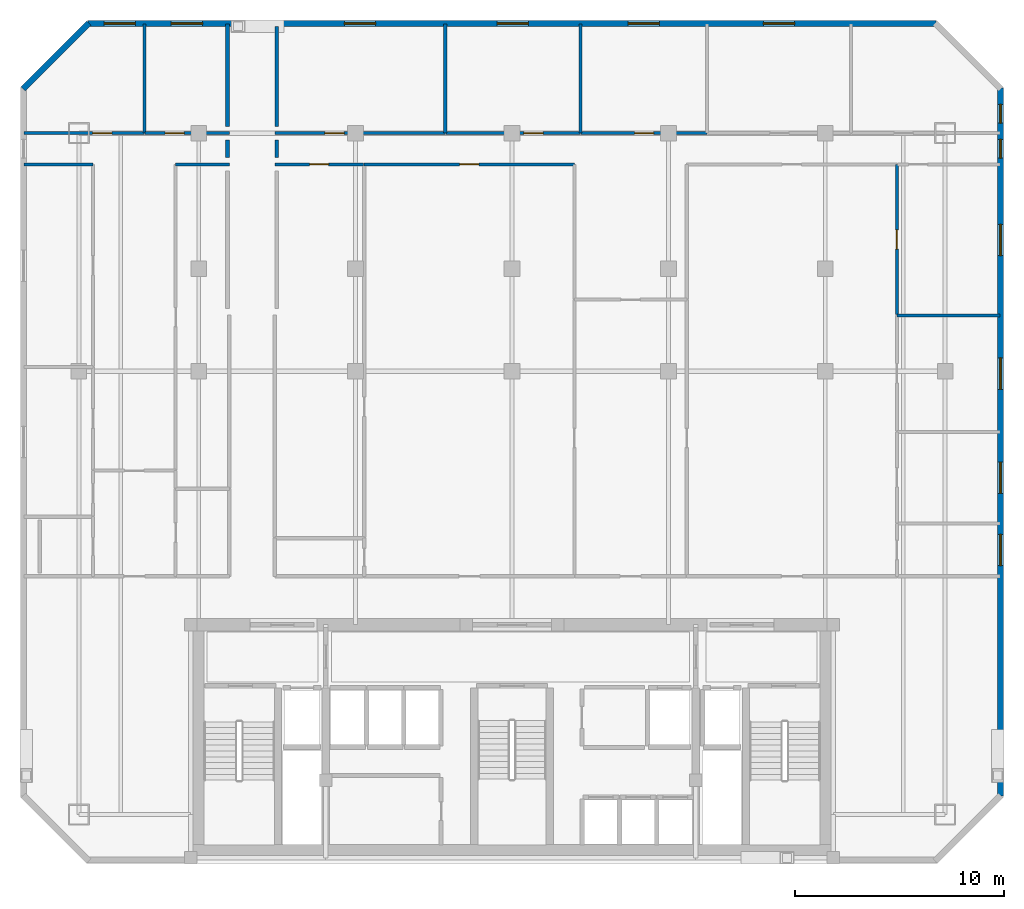
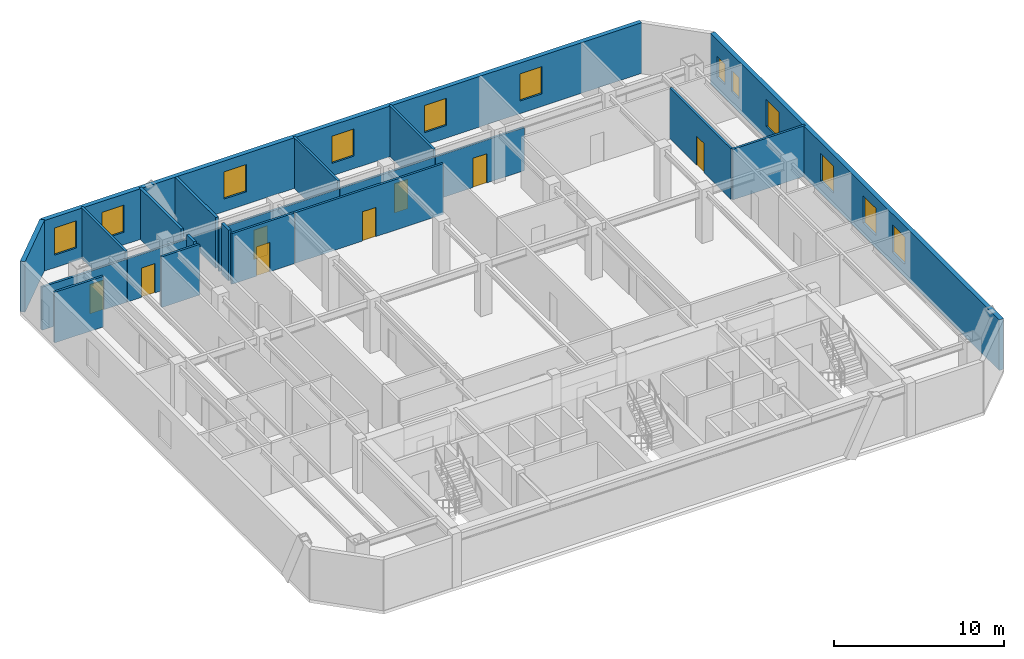
# One storey, part 5 of 7: 21 walls, 12 windows, 8 doors, 20 openings.
"""IFC4 building model written with IfcOpenShell, lengths in metres."""

from ifc_helpers import new_model, si_unit, direction, frame, frame_2d, origin, place, context, subcontext, project, spatial, rectangle, extrude, material, layer, layer_set, type_object, element, fill, save


model = new_model("IFC4")

# Units and contexts
model_context = context("Model", 3, precision=1e-05, world=origin(), true_north=direction((0.0, 1.0)))
body_context = subcontext(model_context, "Body", "Model", "MODEL_VIEW")
ifc_project = project(units=[si_unit("LENGTHUNIT", "METRE"), si_unit("AREAUNIT", "SQUARE_METRE"), si_unit("VOLUMEUNIT", "CUBIC_METRE"), si_unit("PLANEANGLEUNIT", "RADIAN"), si_unit("MASSUNIT", "GRAM", prefix="KILO")], contexts=[model_context])

# Site, building, storey
site_placement = place(None, origin())
site = spatial("IfcSite", under=ifc_project, at=site_placement, CompositionType="ELEMENT")
building_placement = place(site_placement, origin())
building = spatial("IfcBuilding", under=site, at=building_placement, Name="Ventersveld Concourse Tower", CompositionType="ELEMENT")
storey_placement = place(building_placement, frame((0.0, 0.0, 211.85009765625)))
storey = spatial("IfcBuildingStorey", under=building, at=storey_placement, Name="L52", CompositionType="ELEMENT", Elevation=211.85009765625)

# Walls
ifc_material_1 = material(Name="Fire-rated autoclaved aerated masonry blockwork", Category="masonry")
ifc_layer_1 = layer(ifc_material_1, 0.179931640625)
ifc_layer_set_1 = layer_set([ifc_layer_1], Name="Fire-rated autoclaved aerated masonry blockwork")
wall_type_1 = type_object("IfcWallType", Name="WL-CORR-180", PredefinedType="PARTITIONING", material=ifc_layer_set_1)
wall_1_placement = place(storey_placement, frame((15.1201171875, 34.675048828125, 0.0), z_axis=(0.0, 0.0, 1.0), x_axis=(0.0, -1.0, 0.0)))
element("IfcWall", 1, at=wall_1_placement, inside=storey, type_object=wall_type_1, Name="L52 Room Enclosure Wall SP-L52-52NW-LIV", PredefinedType="PARTITIONING", context=body_context, shape_type="SweptSolid", body=[
    extrude(rectangle(XDim=0.85009765625, YDim=0.179931640625, at=frame_2d((0.425048828125, 0.0))), origin(), (0.0, 0.0, 1.0), 3.6298828125),
])
wall_2_placement = place(storey_placement, frame((15.1201171875, 40.2275390625, 0.0), z_axis=(0.0, 0.0, 1.0), x_axis=(0.0, -1.0, 0.0)))
element("IfcWall", 2, at=wall_2_placement, inside=storey, type_object=wall_type_1, Name="L52 Room Enclosure Wall SP-L52-52NW-BR2", PredefinedType="PARTITIONING", context=body_context, shape_type="SweptSolid", body=[
    extrude(rectangle(XDim=4.902587890625, YDim=0.179931640625, at=frame_2d((2.451171875, 0.0))), origin(), (0.0, 0.0, 1.0), 3.6298828125),
])
wall_3_placement = place(storey_placement, frame((17.47998046875, 33.824951171875, 0.0), z_axis=(0.0, 0.0, 1.0), x_axis=(0.0, 1.0, 0.0)))
element("IfcWall", 3, at=wall_3_placement, inside=storey, type_object=wall_type_1, Name="L52 Room Enclosure Wall SP-L52-52N1-LIV", PredefinedType="PARTITIONING", context=body_context, shape_type="SweptSolid", body=[
    extrude(rectangle(XDim=0.85009765625, YDim=0.179931640625, at=frame_2d((0.425048828125, 0.0))), origin(), (0.0, 0.0, 1.0), 3.6298828125),
])
wall_4_placement = place(storey_placement, frame((17.47998046875, 35.324951171875, 0.0), z_axis=(0.0, 0.0, 1.0), x_axis=(0.0, 1.0, 0.0)))
element("IfcWall", 4, at=wall_4_placement, inside=storey, type_object=wall_type_1, Name="L52 Room Enclosure Wall SP-L52-52N1-BR1", PredefinedType="PARTITIONING", context=body_context, shape_type="SweptSolid", body=[
    extrude(rectangle(XDim=4.777099609375, YDim=0.179931640625, at=frame_2d((2.388671875, 0.0))), origin(), (0.0, 0.0, 1.0), 3.6298828125),
])
ifc_material_2 = material(Name="Autoclaved aerated masonry blockwork", Category="masonry")
ifc_layer_2 = layer(ifc_material_2, 0.14990234375)
ifc_layer_set_2 = layer_set([ifc_layer_2], Name="Autoclaved aerated masonry blockwork")
wall_type_2 = type_object("IfcWallType", Name="WL-INT-150", PredefinedType="PARTITIONING", material=ifc_layer_set_2)
wall_5_placement = place(storey_placement, frame((5.37255859375, 33.5, 0.0), z_axis=(0.0, 0.0, 1.0), x_axis=(1.0, 0.0, 0.0)))
element("IfcWall", 5, at=wall_5_placement, inside=storey, type_object=wall_type_2, Name="L52 Interior Partition SP-L52-52NW-LIV-SP-L52-52NW-MEDL2", PredefinedType="PARTITIONING", context=body_context, shape_type="SweptSolid", body=[
    extrude(rectangle(XDim=3.309814453125, YDim=0.14990234375, at=frame_2d((1.65478515625, 0.0))), origin(), (0.0, 0.0, 1.0), 3.6298828125),
])
wall_6_placement = place(storey_placement, frame((12.63232421875, 33.5, 0.0), z_axis=(0.0, 0.0, 1.0), x_axis=(1.0, 0.0, 0.0)))
element("IfcWall", 6, at=wall_6_placement, inside=storey, type_object=wall_type_2, Name="L52 Interior Partition SP-L52-52NW-LIV-SP-L52-52NW-OFFR1", PredefinedType="PARTITIONING", context=body_context, shape_type="SweptSolid", body=[
    extrude(rectangle(XDim=2.582763671875, YDim=0.14990234375, at=frame_2d((1.29150390625, 0.0))), origin(), (0.0, 0.0, 1.0), 3.6298828125),
])

# Wall, opening, door
wall_7_placement = place(storey_placement, frame((5.37255859375, 35.0, 0.0), z_axis=(0.0, 0.0, 1.0), x_axis=(1.0, 0.0, 0.0)))
wall_7 = element("IfcWall", 7, at=wall_7_placement, inside=storey, type_object=wall_type_2, Name="L52 Interior Partition SP-L52-52NW-LIV-SP-L52-52NW-BR1", PredefinedType="PARTITIONING", context=body_context, shape_type="SweptSolid", body=[
    extrude(rectangle(XDim=5.771240234375, YDim=0.14990234375, at=frame_2d((2.8857421875, 0.0))), origin(), (0.0, 0.0, 1.0), 3.08544921875),
])
opening_1_placement = place(wall_7_placement, frame((3.291259765625, 0.0, 0.0)))
opening_1 = element("IfcOpeningElement", 8, at=opening_1_placement, cuts=wall_7, Name="Opening ID1", PredefinedType="OPENING", context=body_context, shape_type="SweptSolid", body=[
    extrude(rectangle(XDim=0.919921875, YDim=2.10009765625, at=frame_2d((0.4599609375, 1.050048828125))), frame((0.0, 0.0849609375, 0.0), z_axis=(0.0, -1.0, 0.0), x_axis=(1.0, 0.0, 0.0)), (0.0, 0.0, 1.0), 0.169921875),
])
ifc_material_3 = material(Name="Solid-core hardwood veneer timber", Category="wood")
door_type = type_object("IfcDoorType", Name="DR-ROOM-092", OperationType="NOTDEFINED", PredefinedType="DOOR", material=ifc_material_3)
door_1_placement = place(opening_1_placement, origin())
door_1 = element("IfcDoor", 9, at=door_1_placement, inside=storey, type_object=door_type, Name="L52 Interior Door SP-L52-52NW-LIV to SP-L52-52NW-BR1 (D-L52-2533)", OperationType="SINGLE_SWING_LEFT", OverallHeight=2.10009765625, OverallWidth=0.919921875, PredefinedType="DOOR", context=body_context, shape_type="SweptSolid", body=[
    extrude(rectangle(XDim=0.919921875, YDim=2.10009765625, at=frame_2d((0.4599609375, 1.050048828125))), frame((0.0, 0.02490234375, 0.0), z_axis=(0.0, -1.0, 0.0), x_axis=(1.0, 0.0, 0.0)), (0.0, 0.0, 1.0), 0.050048828125),
])
fill(opening_1, door_1)

wall_8_placement = place(storey_placement, frame((11.173828125, 35.0, 0.0), z_axis=(0.0, 0.0, 1.0), x_axis=(1.0, 0.0, 0.0)))
wall_8 = element("IfcWall", 10, at=wall_8_placement, inside=storey, type_object=wall_type_2, Name="L52 Interior Partition SP-L52-52NW-LIV-SP-L52-52NW-BR2", PredefinedType="PARTITIONING", context=body_context, shape_type="SweptSolid", body=[
    extrude(rectangle(XDim=4.041259765625, YDim=0.14990234375, at=frame_2d((2.0205078125, 0.0))), origin(), (0.0, 0.0, 1.0), 3.08544921875),
])
opening_2_placement = place(wall_8_placement, frame((0.954345703125, 0.0, 0.0)))
opening_2 = element("IfcOpeningElement", 11, at=opening_2_placement, cuts=wall_8, Name="Opening ID1", PredefinedType="OPENING", context=body_context, shape_type="SweptSolid", body=[
    extrude(rectangle(XDim=0.919921875, YDim=2.10009765625, at=frame_2d((0.4599609375, 1.050048828125))), frame((0.0, 0.0849609375, 0.0), z_axis=(0.0, -1.0, 0.0), x_axis=(1.0, 0.0, 0.0)), (0.0, 0.0, 1.0), 0.169921875),
])
door_2_placement = place(opening_2_placement, origin())
door_2 = element("IfcDoor", 12, at=door_2_placement, inside=storey, type_object=door_type, Name="L52 Interior Door SP-L52-52NW-LIV to SP-L52-52NW-BR2 (D-L52-2534)", OperationType="SINGLE_SWING_RIGHT", OverallHeight=2.10009765625, OverallWidth=0.919921875, PredefinedType="DOOR", context=body_context, shape_type="SweptSolid", body=[
    extrude(rectangle(XDim=0.919921875, YDim=2.10009765625, at=frame_2d((0.4599609375, 1.050048828125))), frame((0.0, 0.02490234375, 0.0), z_axis=(0.0, -1.0, 0.0), x_axis=(1.0, 0.0, 0.0)), (0.0, 0.0, 1.0), 0.050048828125),
])
fill(opening_2, door_2)

# Wall
wall_9_placement = place(storey_placement, frame((11.138916015625, 34.9951171875, 0.0), z_axis=(0.0, 0.0, 1.0), x_axis=(0.0, 1.0, 0.0)))
element("IfcWall", 13, at=wall_9_placement, inside=storey, type_object=wall_type_2, Name="L52 Interior Partition SP-L52-52NW-BR1-SP-L52-52NW-BR2", PredefinedType="PARTITIONING", context=body_context, shape_type="SweptSolid", body=[
    extrude(rectangle(XDim=5.232421875, YDim=0.14990234375, at=frame_2d((2.6162109375, 0.0))), origin(), (0.0, 0.0, 1.0), 3.6298828125),
])

# Wall, opening, door
wall_10_placement = place(storey_placement, frame((21.6650390625, 33.5, 0.0), z_axis=(0.0, 0.0, 1.0), x_axis=(1.0, 0.0, 0.0)))
wall_10 = element("IfcWall", 14, at=wall_10_placement, inside=storey, type_object=wall_type_2, Name="L52 Interior Partition SP-L52-52N1-WGAL1-SP-L52-52N1-LIV", PredefinedType="PARTITIONING", context=body_context, shape_type="SweptSolid", body=[
    extrude(rectangle(XDim=10.080078125, YDim=0.14990234375, at=frame_2d((5.0400390625, 0.0))), origin(), (0.0, 0.0, 1.0), 3.6298828125),
])
opening_3_placement = place(wall_10_placement, frame((4.580078125, 0.0, 0.0)))
opening_3 = element("IfcOpeningElement", 15, at=opening_3_placement, cuts=wall_10, Name="Opening ID1", PredefinedType="OPENING", context=body_context, shape_type="SweptSolid", body=[
    extrude(rectangle(XDim=0.919921875, YDim=2.10009765625, at=frame_2d((0.4599609375, 1.050048828125))), frame((0.0, 0.0849609375, 0.0), z_axis=(0.0, -1.0, 0.0), x_axis=(1.0, 0.0, 0.0)), (0.0, 0.0, 1.0), 0.169921875),
])
door_3_placement = place(opening_3_placement, origin())
door_3 = element("IfcDoor", 16, at=door_3_placement, inside=storey, type_object=door_type, Name="L52 Interior Door SP-L52-52N1-WGAL1 to SP-L52-52N1-LIV (D-L52-2536)", OperationType="SINGLE_SWING_RIGHT", OverallHeight=2.10009765625, OverallWidth=0.919921875, PredefinedType="DOOR", context=body_context, shape_type="SweptSolid", body=[
    extrude(rectangle(XDim=0.919921875, YDim=2.10009765625, at=frame_2d((0.4599609375, 1.050048828125))), frame((0.0, 0.02490234375, 0.0), z_axis=(0.0, -1.0, 0.0), x_axis=(1.0, 0.0, 0.0)), (0.0, 0.0, 1.0), 0.050048828125),
])
fill(opening_3, door_3)

wall_11_placement = place(storey_placement, frame((47.18994140625, 26.302978515625, 0.0), z_axis=(0.0, 0.0, 1.0), x_axis=(0.0, 1.0, 0.0)))
wall_11 = element("IfcWall", 17, at=wall_11_placement, inside=storey, type_object=wall_type_2, Name="L52 Interior Partition SP-L52-52N1-EGAL1-SP-L52-52N1-DENS2", PredefinedType="PARTITIONING", context=body_context, shape_type="SweptSolid", body=[
    extrude(rectangle(XDim=7.201904296875, YDim=0.14990234375, at=frame_2d((3.60107421875, 0.0))), origin(), (0.0, 0.0, 1.0), 3.6298828125),
])
opening_4_placement = place(wall_11_placement, frame((3.14111328125, 0.0, 0.0)))
opening_4 = element("IfcOpeningElement", 18, at=opening_4_placement, cuts=wall_11, Name="Opening ID1", PredefinedType="OPENING", context=body_context, shape_type="SweptSolid", body=[
    extrude(rectangle(XDim=0.919921875, YDim=2.10009765625, at=frame_2d((0.4599609375, 1.050048828125))), frame((0.0, 0.0849609375, 0.0), z_axis=(0.0, -1.0, 0.0), x_axis=(1.0, 0.0, 0.0)), (0.0, 0.0, 1.0), 0.169921875),
])
door_4_placement = place(opening_4_placement, origin())
door_4 = element("IfcDoor", 19, at=door_4_placement, inside=storey, type_object=door_type, Name="L52 Interior Door SP-L52-52N1-EGAL1 to SP-L52-52N1-DENS2 (D-L52-2544)", OperationType="SINGLE_SWING_RIGHT", OverallHeight=2.10009765625, OverallWidth=0.919921875, PredefinedType="DOOR", context=body_context, shape_type="SweptSolid", body=[
    extrude(rectangle(XDim=0.919921875, YDim=2.10009765625, at=frame_2d((0.4599609375, 1.050048828125))), frame((0.0, 0.02490234375, 0.0), z_axis=(0.0, -1.0, 0.0), x_axis=(1.0, 0.0, 0.0)), (0.0, 0.0, 1.0), 0.050048828125),
])
fill(opening_4, door_4)

wall_12_placement = place(storey_placement, frame((17.385009765625, 33.5, 0.0), z_axis=(0.0, 0.0, 1.0), x_axis=(1.0, 0.0, 0.0)))
wall_12 = element("IfcWall", 20, at=wall_12_placement, inside=storey, type_object=wall_type_2, Name="L52 Interior Partition SP-L52-52N1-LIV-SP-L52-52N1-OFFL0", PredefinedType="PARTITIONING", context=body_context, shape_type="SweptSolid", body=[
    extrude(rectangle(XDim=4.25, YDim=0.14990234375, at=frame_2d((2.125, 0.0))), origin(), (0.0, 0.0, 1.0), 3.6298828125),
])
opening_5_placement = place(wall_12_placement, frame((1.6650390625, 0.0, 0.0)))
opening_5 = element("IfcOpeningElement", 21, at=opening_5_placement, cuts=wall_12, Name="Opening ID1", PredefinedType="OPENING", context=body_context, shape_type="SweptSolid", body=[
    extrude(rectangle(XDim=0.919921875, YDim=2.10009765625, at=frame_2d((0.4599609375, 1.050048828125))), frame((0.0, 0.0849609375, 0.0), z_axis=(0.0, -1.0, 0.0), x_axis=(1.0, 0.0, 0.0)), (0.0, 0.0, 1.0), 0.169921875),
])
door_5_placement = place(opening_5_placement, origin())
door_5 = element("IfcDoor", 22, at=door_5_placement, inside=storey, type_object=door_type, Name="L52 Interior Door SP-L52-52N1-LIV to SP-L52-52N1-OFFL0 (D-L52-2546)", OperationType="SINGLE_SWING_RIGHT", OverallHeight=2.10009765625, OverallWidth=0.919921875, PredefinedType="DOOR", context=body_context, shape_type="SweptSolid", body=[
    extrude(rectangle(XDim=0.919921875, YDim=2.10009765625, at=frame_2d((0.4599609375, 1.050048828125))), frame((0.0, 0.02490234375, 0.0), z_axis=(0.0, -1.0, 0.0), x_axis=(1.0, 0.0, 0.0)), (0.0, 0.0, 1.0), 0.050048828125),
])
fill(opening_5, door_5)

wall_13_placement = place(storey_placement, frame((17.385009765625, 35.0, 0.0), z_axis=(0.0, 0.0, 1.0), x_axis=(1.0, 0.0, 0.0)))
wall_13 = element("IfcWall", 23, at=wall_13_placement, inside=storey, type_object=wall_type_2, Name="L52 Interior Partition SP-L52-52N1-LIV-SP-L52-52N1-BR1", PredefinedType="PARTITIONING", context=body_context, shape_type="SweptSolid", body=[
    extrude(rectangle(XDim=8.169921875, YDim=0.14990234375, at=frame_2d((4.0849609375, 0.0))), origin(), (0.0, 0.0, 1.0), 3.08544921875),
])
opening_6_placement = place(wall_13_placement, frame((2.3994140625, 0.0, 0.0)))
opening_6 = element("IfcOpeningElement", 24, at=opening_6_placement, cuts=wall_13, Name="Opening ID1", PredefinedType="OPENING", context=body_context, shape_type="SweptSolid", body=[
    extrude(rectangle(XDim=0.919921875, YDim=2.10009765625, at=frame_2d((0.4599609375, 1.050048828125))), frame((0.0, 0.0849609375, 0.0), z_axis=(0.0, -1.0, 0.0), x_axis=(1.0, 0.0, 0.0)), (0.0, 0.0, 1.0), 0.169921875),
])
door_6_placement = place(opening_6_placement, origin())
door_6 = element("IfcDoor", 25, at=door_6_placement, inside=storey, type_object=door_type, Name="L52 Interior Door SP-L52-52N1-LIV to SP-L52-52N1-BR1 (D-L52-2548)", OperationType="SINGLE_SWING_RIGHT", OverallHeight=2.10009765625, OverallWidth=0.919921875, PredefinedType="DOOR", context=body_context, shape_type="SweptSolid", body=[
    extrude(rectangle(XDim=0.919921875, YDim=2.10009765625, at=frame_2d((0.4599609375, 1.050048828125))), frame((0.0, 0.02490234375, 0.0), z_axis=(0.0, -1.0, 0.0), x_axis=(1.0, 0.0, 0.0)), (0.0, 0.0, 1.0), 0.050048828125),
])
fill(opening_6, door_6)

wall_14_placement = place(storey_placement, frame((25.5849609375, 35.0, 0.0), z_axis=(0.0, 0.0, 1.0), x_axis=(1.0, 0.0, 0.0)))
wall_14 = element("IfcWall", 26, at=wall_14_placement, inside=storey, type_object=wall_type_2, Name="L52 Interior Partition SP-L52-52N1-LIV-SP-L52-52N1-BR2", PredefinedType="PARTITIONING", context=body_context, shape_type="SweptSolid", body=[
    extrude(rectangle(XDim=6.449951171875, YDim=0.14990234375, at=frame_2d((3.22509765625, 0.0))), origin(), (0.0, 0.0, 1.0), 3.08544921875),
])
opening_7_placement = place(wall_14_placement, frame((3.732421875, 0.0, 0.0)))
opening_7 = element("IfcOpeningElement", 27, at=opening_7_placement, cuts=wall_14, Name="Opening ID1", PredefinedType="OPENING", context=body_context, shape_type="SweptSolid", body=[
    extrude(rectangle(XDim=0.919921875, YDim=2.10009765625, at=frame_2d((0.4599609375, 1.050048828125))), frame((0.0, 0.0849609375, 0.0), z_axis=(0.0, -1.0, 0.0), x_axis=(1.0, 0.0, 0.0)), (0.0, 0.0, 1.0), 0.169921875),
])
door_7_placement = place(opening_7_placement, origin())
door_7 = element("IfcDoor", 28, at=door_7_placement, inside=storey, type_object=door_type, Name="L52 Interior Door SP-L52-52N1-LIV to SP-L52-52N1-BR2 (D-L52-2549)", OperationType="SINGLE_SWING_LEFT", OverallHeight=2.10009765625, OverallWidth=0.919921875, PredefinedType="DOOR", context=body_context, shape_type="SweptSolid", body=[
    extrude(rectangle(XDim=0.919921875, YDim=2.10009765625, at=frame_2d((0.4599609375, 1.050048828125))), frame((0.0, 0.02490234375, 0.0), z_axis=(0.0, -1.0, 0.0), x_axis=(1.0, 0.0, 0.0)), (0.0, 0.0, 1.0), 0.050048828125),
])
fill(opening_7, door_7)

wall_15_placement = place(storey_placement, frame((32.06494140625, 35.0, 0.0), z_axis=(0.0, 0.0, 1.0), x_axis=(1.0, 0.0, 0.0)))
wall_15 = element("IfcWall", 29, at=wall_15_placement, inside=storey, type_object=wall_type_2, Name="L52 Interior Partition SP-L52-52N1-LIV-SP-L52-52N1-BR3", PredefinedType="PARTITIONING", context=body_context, shape_type="SweptSolid", body=[
    extrude(rectangle(XDim=6.030029296875, YDim=0.14990234375, at=frame_2d((3.01513671875, 0.0))), origin(), (0.0, 0.0, 1.0), 3.08544921875),
])
opening_8_placement = place(wall_15_placement, frame((2.554931640625, 0.0, 0.0)))
opening_8 = element("IfcOpeningElement", 30, at=opening_8_placement, cuts=wall_15, Name="Opening ID1", PredefinedType="OPENING", context=body_context, shape_type="SweptSolid", body=[
    extrude(rectangle(XDim=0.919921875, YDim=2.10009765625, at=frame_2d((0.4599609375, 1.050048828125))), frame((0.0, 0.0849609375, 0.0), z_axis=(0.0, -1.0, 0.0), x_axis=(1.0, 0.0, 0.0)), (0.0, 0.0, 1.0), 0.169921875),
])
door_8_placement = place(opening_8_placement, origin())
door_8 = element("IfcDoor", 31, at=door_8_placement, inside=storey, type_object=door_type, Name="L52 Interior Door SP-L52-52N1-LIV to SP-L52-52N1-BR3 (D-L52-2550)", OperationType="SINGLE_SWING_RIGHT", OverallHeight=2.10009765625, OverallWidth=0.919921875, PredefinedType="DOOR", context=body_context, shape_type="SweptSolid", body=[
    extrude(rectangle(XDim=0.919921875, YDim=2.10009765625, at=frame_2d((0.4599609375, 1.050048828125))), frame((0.0, 0.02490234375, 0.0), z_axis=(0.0, -1.0, 0.0), x_axis=(1.0, 0.0, 0.0)), (0.0, 0.0, 1.0), 0.050048828125),
])
fill(opening_8, door_8)

# Walls
wall_16_placement = place(storey_placement, frame((47.18505859375, 26.26806640625, 0.0), z_axis=(0.0, 0.0, 1.0), x_axis=(1.0, 0.0, 0.0)))
element("IfcWall", 32, at=wall_16_placement, inside=storey, type_object=wall_type_2, Name="L52 Interior Partition SP-L52-52N1-DENS-SP-L52-52N1-DENS2", PredefinedType="PARTITIONING", context=body_context, shape_type="SweptSolid", body=[
    extrude(rectangle(XDim=4.9423828125, YDim=0.14990234375, at=frame_2d((2.47119140625, 0.0))), origin(), (0.0, 0.0, 1.0), 3.6298828125),
])
for number, where, z_axis, x_axis, name in (
    (33, (25.550048828125, 34.9951171875, 0.0), (0.0, 0.0, 1.0), (0.0, 1.0, 0.0), "L52 Interior Partition SP-L52-52N1-BR1-SP-L52-52N1-BR2"),
    (34, (32.030029296875, 34.9951171875, 0.0), (0.0, 0.0, 1.0), (0.0, 1.0, 0.0), "L52 Interior Partition SP-L52-52N1-BR2-SP-L52-52N1-BR3"),
):
    element("IfcWall", number, at=place(storey_placement, frame(where, z_axis=z_axis, x_axis=x_axis)), inside=storey, type_object=wall_type_2, Name=name, PredefinedType="PARTITIONING", context=body_context, shape_type="SweptSolid", body=[
        extrude(rectangle(XDim=5.232421875, YDim=0.14990234375, at=frame_2d((2.6162109375, 0.0))), origin(), (0.0, 0.0, 1.0), 3.6298828125),
    ])

# Wall, openings, windows
ifc_material_4 = material(Name="Precast concrete C45/55", Category="concrete")
ifc_layer_3 = layer(ifc_material_4, 0.300048828125)
ifc_layer_set_3 = layer_set([ifc_layer_3], Name="Precast concrete C45/55")
wall_type_3 = type_object("IfcWallType", Name="WL-PREC-300", PredefinedType="SOLIDWALL", material=ifc_layer_set_3)
wall_17_placement = place(storey_placement, frame((52.14990234375, 3.239990234375, 0.0), z_axis=(0.0, 0.0, 1.0), x_axis=(0.0, 1.0, 0.0)))
wall_17 = element("IfcWall", 35, at=wall_17_placement, inside=storey, type_object=wall_type_3, Name="L52 Highveld Precast Facade Wall E03", PredefinedType="SOLIDWALL", context=body_context, shape_type="SweptSolid", body=[
    extrude(rectangle(XDim=33.919921875, YDim=0.300048828125, at=frame_2d((16.9599609375, 0.0))), origin(), (0.0, 0.0, 1.0), 3.6298828125),
])
opening_9_placement = place(wall_17_placement, frame((30.56005859375, 0.0, 0.949951171875)))
opening_9 = element("IfcOpeningElement", 36, at=opening_9_placement, cuts=wall_17, Name="Opening W4", PredefinedType="OPENING", context=body_context, shape_type="SweptSolid", body=[
    extrude(rectangle(XDim=0.89990234375, YDim=1.5, at=frame_2d((0.449951171875, 0.75))), frame((0.0, 0.16015625, 0.0), z_axis=(0.0, -1.0, 0.0), x_axis=(1.0, 0.0, 0.0)), (0.0, 0.0, 1.0), 0.320068359375),
])
opening_10_placement = place(wall_17_placement, frame((11.040771484375, 0.0, 0.89990234375)))
opening_10 = element("IfcOpeningElement", 37, at=opening_10_placement, cuts=wall_17, Name="Opening W1", PredefinedType="OPENING", context=body_context, shape_type="SweptSolid", body=[
    extrude(rectangle(XDim=1.5, YDim=1.949951171875, at=frame_2d((0.75, 0.97509765625))), frame((0.0, 0.16015625, 0.0), z_axis=(0.0, -1.0, 0.0), x_axis=(1.0, 0.0, 0.0)), (0.0, 0.0, 1.0), 0.320068359375),
])
opening_11_placement = place(wall_17_placement, frame((14.49951171875, 0.0, 0.89990234375)))
opening_11 = element("IfcOpeningElement", 38, at=opening_11_placement, cuts=wall_17, Name="Opening W1", PredefinedType="OPENING", context=body_context, shape_type="SweptSolid", body=[
    extrude(rectangle(XDim=1.5, YDim=1.949951171875, at=frame_2d((0.75, 0.97509765625))), frame((0.0, 0.16015625, 0.0), z_axis=(0.0, -1.0, 0.0), x_axis=(1.0, 0.0, 0.0)), (0.0, 0.0, 1.0), 0.320068359375),
])
opening_12_placement = place(wall_17_placement, frame((19.48779296875, 0.0, 0.89990234375)))
opening_12 = element("IfcOpeningElement", 39, at=opening_12_placement, cuts=wall_17, Name="Opening W1", PredefinedType="OPENING", context=body_context, shape_type="SweptSolid", body=[
    extrude(rectangle(XDim=1.5, YDim=1.949951171875, at=frame_2d((0.75, 0.97509765625))), frame((0.0, 0.16015625, 0.0), z_axis=(0.0, -1.0, 0.0), x_axis=(1.0, 0.0, 0.0)), (0.0, 0.0, 1.0), 0.320068359375),
])
opening_13_placement = place(wall_17_placement, frame((25.89404296875, 0.0, 0.89990234375)))
opening_13 = element("IfcOpeningElement", 40, at=opening_13_placement, cuts=wall_17, Name="Opening W1", PredefinedType="OPENING", context=body_context, shape_type="SweptSolid", body=[
    extrude(rectangle(XDim=1.5, YDim=1.949951171875, at=frame_2d((0.75, 0.97509765625))), frame((0.0, 0.16015625, 0.0), z_axis=(0.0, -1.0, 0.0), x_axis=(1.0, 0.0, 0.0)), (0.0, 0.0, 1.0), 0.320068359375),
])
opening_14_placement = place(wall_17_placement, frame((32.239990234375, 0.0, 0.949951171875)))
opening_14 = element("IfcOpeningElement", 41, at=opening_14_placement, cuts=wall_17, Name="Opening W4", PredefinedType="OPENING", context=body_context, shape_type="SweptSolid", body=[
    extrude(rectangle(XDim=0.89990234375, YDim=1.5, at=frame_2d((0.449951171875, 0.75))), frame((0.0, 0.16015625, 0.0), z_axis=(0.0, -1.0, 0.0), x_axis=(1.0, 0.0, 0.0)), (0.0, 0.0, 1.0), 0.320068359375),
])
ifc_material_5 = material(Name="Tempered acoustic Low-E IGU", Category="glass")
window_type_1 = type_object("IfcWindowType", Name="WIN-090x150", PartitioningType="SINGLE_PANEL", PredefinedType="WINDOW", material=ifc_material_5)
window_1_placement = place(opening_9_placement, origin())
window_1 = element("IfcWindow", 42, at=window_1_placement, inside=storey, type_object=window_type_1, Name="L52 Punched Low-E Window W-0736", OverallHeight=1.5, OverallWidth=0.89990234375, PartitioningType="SINGLE_PANEL", PredefinedType="WINDOW", context=body_context, shape_type="SweptSolid", body=[
    extrude(rectangle(XDim=0.89990234375, YDim=1.5, at=frame_2d((0.449951171875, 0.75))), frame((0.0, 0.030029296875, 0.0), z_axis=(0.0, -1.0, 0.0), x_axis=(1.0, 0.0, 0.0)), (0.0, 0.0, 1.0), 0.06005859375),
])
fill(opening_9, window_1)
window_2_placement = place(opening_14_placement, origin())
window_2 = element("IfcWindow", 43, at=window_2_placement, inside=storey, type_object=window_type_1, Name="L52 Punched Low-E Window W-0745", OverallHeight=1.5, OverallWidth=0.89990234375, PartitioningType="SINGLE_PANEL", PredefinedType="WINDOW", context=body_context, shape_type="SweptSolid", body=[
    extrude(rectangle(XDim=0.89990234375, YDim=1.5, at=frame_2d((0.449951171875, 0.75))), frame((0.0, 0.030029296875, 0.0), z_axis=(0.0, -1.0, 0.0), x_axis=(1.0, 0.0, 0.0)), (0.0, 0.0, 1.0), 0.06005859375),
])
fill(opening_14, window_2)
window_type_2 = type_object("IfcWindowType", Name="WIN-150x210", PartitioningType="SINGLE_PANEL", PredefinedType="WINDOW", material=ifc_material_5)
window_3_placement = place(opening_10_placement, origin())
window_3 = element("IfcWindow", 44, at=window_3_placement, inside=storey, type_object=window_type_2, Name="L52 Punched Low-E Window W-0737", OverallHeight=1.949951171875, OverallWidth=1.5, PartitioningType="SINGLE_PANEL", PredefinedType="WINDOW", context=body_context, shape_type="SweptSolid", body=[
    extrude(rectangle(XDim=1.5, YDim=1.949951171875, at=frame_2d((0.75, 0.97509765625))), frame((0.0, 0.030029296875, 0.0), z_axis=(0.0, -1.0, 0.0), x_axis=(1.0, 0.0, 0.0)), (0.0, 0.0, 1.0), 0.06005859375),
])
fill(opening_10, window_3)
window_4_placement = place(opening_11_placement, origin())
window_4 = element("IfcWindow", 45, at=window_4_placement, inside=storey, type_object=window_type_2, Name="L52 Punched Low-E Window W-0738", OverallHeight=1.949951171875, OverallWidth=1.5, PartitioningType="SINGLE_PANEL", PredefinedType="WINDOW", context=body_context, shape_type="SweptSolid", body=[
    extrude(rectangle(XDim=1.5, YDim=1.949951171875, at=frame_2d((0.75, 0.97509765625))), frame((0.0, 0.030029296875, 0.0), z_axis=(0.0, -1.0, 0.0), x_axis=(1.0, 0.0, 0.0)), (0.0, 0.0, 1.0), 0.06005859375),
])
fill(opening_11, window_4)
window_5_placement = place(opening_12_placement, origin())
window_5 = element("IfcWindow", 46, at=window_5_placement, inside=storey, type_object=window_type_2, Name="L52 Punched Low-E Window W-0739", OverallHeight=1.949951171875, OverallWidth=1.5, PartitioningType="SINGLE_PANEL", PredefinedType="WINDOW", context=body_context, shape_type="SweptSolid", body=[
    extrude(rectangle(XDim=1.5, YDim=1.949951171875, at=frame_2d((0.75, 0.97509765625))), frame((0.0, 0.030029296875, 0.0), z_axis=(0.0, -1.0, 0.0), x_axis=(1.0, 0.0, 0.0)), (0.0, 0.0, 1.0), 0.06005859375),
])
fill(opening_12, window_5)
window_6_placement = place(opening_13_placement, origin())
window_6 = element("IfcWindow", 47, at=window_6_placement, inside=storey, type_object=window_type_2, Name="L52 Punched Low-E Window W-0740", OverallHeight=1.949951171875, OverallWidth=1.5, PartitioningType="SINGLE_PANEL", PredefinedType="WINDOW", context=body_context, shape_type="SweptSolid", body=[
    extrude(rectangle(XDim=1.5, YDim=1.949951171875, at=frame_2d((0.75, 0.97509765625))), frame((0.0, 0.030029296875, 0.0), z_axis=(0.0, -1.0, 0.0), x_axis=(1.0, 0.0, 0.0)), (0.0, 0.0, 1.0), 0.06005859375),
])
fill(opening_13, window_6)

wall_18_placement = place(storey_placement, frame((49.06005859375, 40.25, 0.0), z_axis=(0.0, 0.0, 1.0), x_axis=(-1.0, 0.0, 0.0)))
wall_18 = element("IfcWall", 48, at=wall_18_placement, inside=storey, type_object=wall_type_3, Name="L52 Highveld Precast Facade Wall E05", PredefinedType="SOLIDWALL", context=body_context, shape_type="SweptSolid", body=[
    extrude(rectangle(XDim=40.6201171875, YDim=0.300048828125, at=frame_2d((20.31005859375, 0.0))), origin(), (0.0, 0.0, 1.0), 3.6298828125),
])
opening_15_placement = place(wall_18_placement, frame((38.35009765625, 0.0, 0.89990234375)))
opening_15 = element("IfcOpeningElement", 49, at=opening_15_placement, cuts=wall_18, Name="Opening W1", PredefinedType="OPENING", context=body_context, shape_type="SweptSolid", body=[
    extrude(rectangle(XDim=1.5, YDim=1.949951171875, at=frame_2d((0.75, 0.97509765625))), frame((0.0, 0.16015625, 0.0), z_axis=(0.0, -1.0, 0.0), x_axis=(1.0, 0.0, 0.0)), (0.0, 0.0, 1.0), 0.320068359375),
])
opening_16_placement = place(wall_18_placement, frame((35.135498046875, 0.0, 0.89990234375)))
opening_16 = element("IfcOpeningElement", 50, at=opening_16_placement, cuts=wall_18, Name="Opening W1", PredefinedType="OPENING", context=body_context, shape_type="SweptSolid", body=[
    extrude(rectangle(XDim=1.5, YDim=1.949951171875, at=frame_2d((0.75, 0.97509765625))), frame((0.0, 0.16015625, 0.0), z_axis=(0.0, -1.0, 0.0), x_axis=(1.0, 0.0, 0.0)), (0.0, 0.0, 1.0), 0.320068359375),
])
opening_17_placement = place(wall_18_placement, frame((26.840087890625, 0.0, 0.89990234375)))
opening_17 = element("IfcOpeningElement", 51, at=opening_17_placement, cuts=wall_18, Name="Opening W1", PredefinedType="OPENING", context=body_context, shape_type="SweptSolid", body=[
    extrude(rectangle(XDim=1.5, YDim=1.949951171875, at=frame_2d((0.75, 0.97509765625))), frame((0.0, 0.16015625, 0.0), z_axis=(0.0, -1.0, 0.0), x_axis=(1.0, 0.0, 0.0)), (0.0, 0.0, 1.0), 0.320068359375),
])
opening_18_placement = place(wall_18_placement, frame((19.52001953125, 0.0, 0.89990234375)))
opening_18 = element("IfcOpeningElement", 52, at=opening_18_placement, cuts=wall_18, Name="Opening W1", PredefinedType="OPENING", context=body_context, shape_type="SweptSolid", body=[
    extrude(rectangle(XDim=1.5, YDim=1.949951171875, at=frame_2d((0.75, 0.97509765625))), frame((0.0, 0.16015625, 0.0), z_axis=(0.0, -1.0, 0.0), x_axis=(1.0, 0.0, 0.0)), (0.0, 0.0, 1.0), 0.320068359375),
])
opening_19_placement = place(wall_18_placement, frame((13.25, 0.0, 0.89990234375)))
opening_19 = element("IfcOpeningElement", 53, at=opening_19_placement, cuts=wall_18, Name="Opening W1", PredefinedType="OPENING", context=body_context, shape_type="SweptSolid", body=[
    extrude(rectangle(XDim=1.5, YDim=1.949951171875, at=frame_2d((0.75, 0.97509765625))), frame((0.0, 0.16015625, 0.0), z_axis=(0.0, -1.0, 0.0), x_axis=(1.0, 0.0, 0.0)), (0.0, 0.0, 1.0), 0.320068359375),
])
opening_20_placement = place(wall_18_placement, frame((6.77001953125, 0.0, 0.89990234375)))
opening_20 = element("IfcOpeningElement", 54, at=opening_20_placement, cuts=wall_18, Name="Opening W1", PredefinedType="OPENING", context=body_context, shape_type="SweptSolid", body=[
    extrude(rectangle(XDim=1.5, YDim=1.949951171875, at=frame_2d((0.75, 0.97509765625))), frame((0.0, 0.16015625, 0.0), z_axis=(0.0, -1.0, 0.0), x_axis=(1.0, 0.0, 0.0)), (0.0, 0.0, 1.0), 0.320068359375),
])
window_7_placement = place(opening_15_placement, origin())
window_7 = element("IfcWindow", 55, at=window_7_placement, inside=storey, type_object=window_type_2, Name="L52 Punched Low-E Window W-0734", OverallHeight=1.949951171875, OverallWidth=1.5, PartitioningType="SINGLE_PANEL", PredefinedType="WINDOW", context=body_context, shape_type="SweptSolid", body=[
    extrude(rectangle(XDim=1.5, YDim=1.949951171875, at=frame_2d((0.75, 0.97509765625))), frame((0.0, 0.030029296875, 0.0), z_axis=(0.0, -1.0, 0.0), x_axis=(1.0, 0.0, 0.0)), (0.0, 0.0, 1.0), 0.06005859375),
])
fill(opening_15, window_7)
window_8_placement = place(opening_16_placement, origin())
window_8 = element("IfcWindow", 56, at=window_8_placement, inside=storey, type_object=window_type_2, Name="L52 Punched Low-E Window W-0735", OverallHeight=1.949951171875, OverallWidth=1.5, PartitioningType="SINGLE_PANEL", PredefinedType="WINDOW", context=body_context, shape_type="SweptSolid", body=[
    extrude(rectangle(XDim=1.5, YDim=1.949951171875, at=frame_2d((0.75, 0.97509765625))), frame((0.0, 0.030029296875, 0.0), z_axis=(0.0, -1.0, 0.0), x_axis=(1.0, 0.0, 0.0)), (0.0, 0.0, 1.0), 0.06005859375),
])
fill(opening_16, window_8)
window_9_placement = place(opening_17_placement, origin())
window_9 = element("IfcWindow", 57, at=window_9_placement, inside=storey, type_object=window_type_2, Name="L52 Punched Low-E Window W-0741", OverallHeight=1.949951171875, OverallWidth=1.5, PartitioningType="SINGLE_PANEL", PredefinedType="WINDOW", context=body_context, shape_type="SweptSolid", body=[
    extrude(rectangle(XDim=1.5, YDim=1.949951171875, at=frame_2d((0.75, 0.97509765625))), frame((0.0, 0.030029296875, 0.0), z_axis=(0.0, -1.0, 0.0), x_axis=(1.0, 0.0, 0.0)), (0.0, 0.0, 1.0), 0.06005859375),
])
fill(opening_17, window_9)
window_10_placement = place(opening_18_placement, origin())
window_10 = element("IfcWindow", 58, at=window_10_placement, inside=storey, type_object=window_type_2, Name="L52 Punched Low-E Window W-0742", OverallHeight=1.949951171875, OverallWidth=1.5, PartitioningType="SINGLE_PANEL", PredefinedType="WINDOW", context=body_context, shape_type="SweptSolid", body=[
    extrude(rectangle(XDim=1.5, YDim=1.949951171875, at=frame_2d((0.75, 0.97509765625))), frame((0.0, 0.030029296875, 0.0), z_axis=(0.0, -1.0, 0.0), x_axis=(1.0, 0.0, 0.0)), (0.0, 0.0, 1.0), 0.06005859375),
])
fill(opening_18, window_10)
window_11_placement = place(opening_19_placement, origin())
window_11 = element("IfcWindow", 59, at=window_11_placement, inside=storey, type_object=window_type_2, Name="L52 Punched Low-E Window W-0743", OverallHeight=1.949951171875, OverallWidth=1.5, PartitioningType="SINGLE_PANEL", PredefinedType="WINDOW", context=body_context, shape_type="SweptSolid", body=[
    extrude(rectangle(XDim=1.5, YDim=1.949951171875, at=frame_2d((0.75, 0.97509765625))), frame((0.0, 0.030029296875, 0.0), z_axis=(0.0, -1.0, 0.0), x_axis=(1.0, 0.0, 0.0)), (0.0, 0.0, 1.0), 0.06005859375),
])
fill(opening_19, window_11)
window_12_placement = place(opening_20_placement, origin())
window_12 = element("IfcWindow", 60, at=window_12_placement, inside=storey, type_object=window_type_2, Name="L52 Punched Low-E Window W-0744", OverallHeight=1.949951171875, OverallWidth=1.5, PartitioningType="SINGLE_PANEL", PredefinedType="WINDOW", context=body_context, shape_type="SweptSolid", body=[
    extrude(rectangle(XDim=1.5, YDim=1.949951171875, at=frame_2d((0.75, 0.97509765625))), frame((0.0, 0.030029296875, 0.0), z_axis=(0.0, -1.0, 0.0), x_axis=(1.0, 0.0, 0.0)), (0.0, 0.0, 1.0), 0.06005859375),
])
fill(opening_20, window_12)

# Wall
wall_19_placement = place(storey_placement, frame((8.477783203125, 40.265625, 0.0), z_axis=(0.0, 0.0, 1.0), x_axis=(-0.707106781187, -0.707106781187, 0.0)))
element("IfcWall", 61, at=wall_19_placement, inside=storey, type_object=wall_type_3, Name="L52 Highveld Precast Facade Wall E06", PredefinedType="SOLIDWALL", context=body_context, shape_type="SweptSolid", body=[
    extrude(rectangle(XDim=4.4453125, YDim=0.300048828125, at=frame_2d((2.22265625, 0.0))), origin(), (0.0, 0.0, 1.0), 3.6298828125),
])

save(model, "model.ifc")
